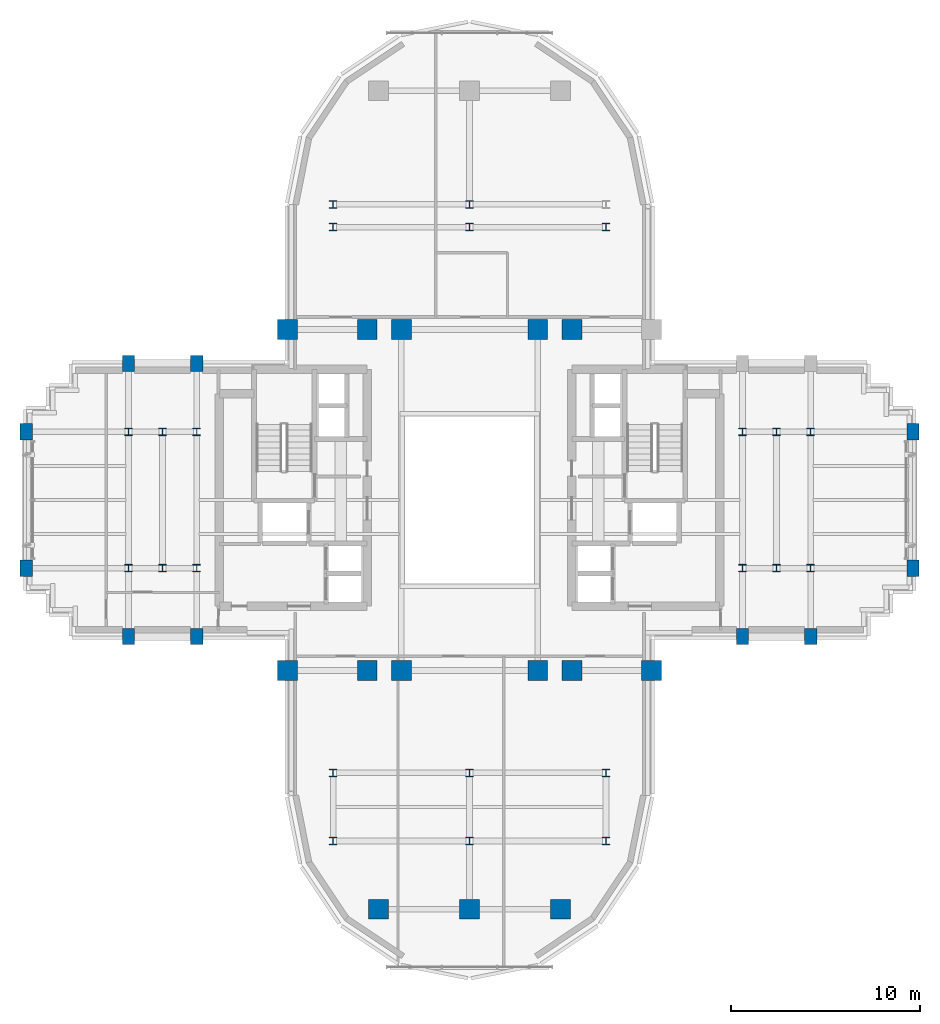
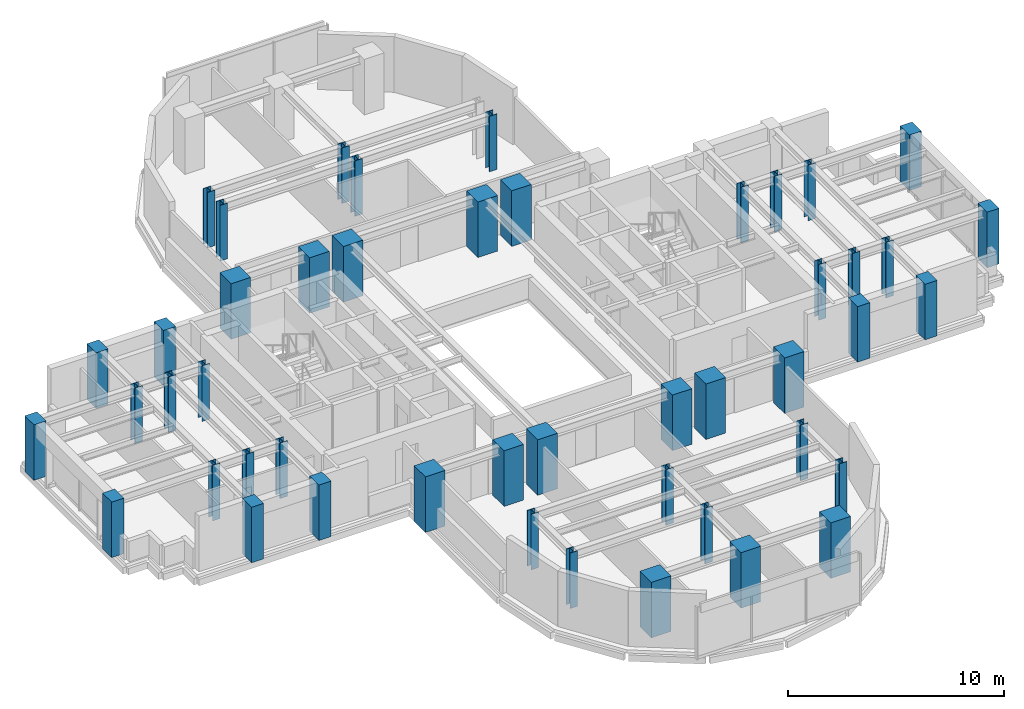
# One storey, part 1 of 13: 47 columns.
"""IFC4 building model written with IfcOpenShell, lengths in metres."""

from ifc_helpers import new_model, si_unit, direction, frame, origin, origin_2d, place, context, subcontext, project, spatial, rectangle, i_section, extrude, source, transform, mapped, material, material_profile, profile_set, type_object, element, save


model = new_model("IFC4")

# Units and contexts
model_context = context("Model", 3, precision=1e-05, world=origin(), true_north=direction((0.0, 1.0)))
body_context = subcontext(model_context, "Body", "Model", "MODEL_VIEW")
ifc_project = project(units=[si_unit("LENGTHUNIT", "METRE"), si_unit("AREAUNIT", "SQUARE_METRE"), si_unit("VOLUMEUNIT", "CUBIC_METRE"), si_unit("PLANEANGLEUNIT", "RADIAN"), si_unit("MASSUNIT", "GRAM", prefix="KILO")], contexts=[model_context])

# Site, building, storey
site_placement = place(None, origin())
site = spatial("IfcSite", under=ifc_project, at=site_placement, CompositionType="ELEMENT")
building_placement = place(site_placement, origin())
building = spatial("IfcBuilding", under=site, at=building_placement, Name="Keilestroom Media Tower", CompositionType="ELEMENT")
storey_placement = place(building_placement, frame((0.0, 0.0, 148.199951171875)))
storey = spatial("IfcBuildingStorey", under=building, at=storey_placement, Name="L40", CompositionType="ELEMENT", Elevation=148.199951171875)

# Columns
ifc_material_1 = material(Name="Precast concrete C40/50", Category="concrete")
ifc_material_profile_1 = material_profile(ifc_material_1, rectangle(XDim=0.64990234375, YDim=0.85009765625, at=origin_2d()), Name="PC 850x650")
ifc_profile_set_1 = profile_set([ifc_material_profile_1], Name="Precast concrete C40/50")
column_type_1 = type_object("IfcColumnType", Name="Structural-Column-PC-850x650", PredefinedType="COLUMN", material=ifc_profile_set_1)
shared_shape_1 = source(origin(), body_context, "Body", "SweptSolid", [
    extrude(rectangle(XDim=0.64990234375, YDim=0.85009765625, at=origin_2d()), origin(), (0.0, 0.0, 1.0), 3.14013671875),
])
for number, where, z_axis, x_axis, name in (
    (1, (-23.39990234375, -3.60009765625, 0.0), (0.0, 0.0, 1.0), (1.0, 0.0, 0.0), "L40 Column PC-2 (-23.4,-3.6)"),
    (2, (-23.39990234375, 3.60009765625, 0.0), (0.0, 0.0, 1.0), (1.0, 0.0, 0.0), "L40 Column PC-2 (-23.4,+3.6)"),
    (3, (-18.0, -7.199951171875, 0.0), (0.0, 0.0, 1.0), (1.0, 0.0, 0.0), "L40 Column PC-2 (-18.0,-7.2)"),
    (4, (-18.0, 7.199951171875, 0.0), (0.0, 0.0, 1.0), (1.0, 0.0, 0.0), "L40 Column PC-2 (-18.0,+7.2)"),
    (5, (-14.39990234375, -7.199951171875, 0.0), (0.0, 0.0, 1.0), (1.0, 0.0, 0.0), "L40 Column PC-2 (-14.4,-7.2)"),
    (6, (-14.39990234375, 7.199951171875, 0.0), (0.0, 0.0, 1.0), (1.0, 0.0, 0.0), "L40 Column PC-2 (-14.4,+7.2)"),
    (7, (14.39990234375, -7.199951171875, 0.0), (0.0, 0.0, 1.0), (1.0, 0.0, 0.0), "L40 Column PC-2 (+14.4,-7.2)"),
    (8, (18.0, -7.199951171875, 0.0), (0.0, 0.0, 1.0), (1.0, 0.0, 0.0), "L40 Column PC-2 (+18.0,-7.2)"),
    (9, (23.39990234375, -3.60009765625, 0.0), (0.0, 0.0, 1.0), (1.0, 0.0, 0.0), "L40 Column PC-2 (+23.4,-3.6)"),
    (10, (23.39990234375, 3.60009765625, 0.0), (0.0, 0.0, 1.0), (1.0, 0.0, 0.0), "L40 Column PC-2 (+23.4,+3.6)"),
):
    element("IfcColumn", number, at=place(storey_placement, frame(where, z_axis=z_axis, x_axis=x_axis)), inside=storey, type_object=column_type_1, Name=name, PredefinedType="COLUMN", context=body_context, shape_type="MappedRepresentation", body=[
        mapped(shared_shape_1, transform((0.0, 0.0, 0.0), x_axis=(1.0, 0.0, 0.0), y_axis=(0.0, 1.0, 0.0), z_axis=(0.0, 0.0, 1.0), scale=1.0)),
    ])
ifc_material_2 = material(Name="Steel S355", Category="steel")
ifc_material_profile_2 = material_profile(ifc_material_2, i_section(OverallWidth=0.40087890625, OverallDepth=0.39892578125, WebThickness=0.02001953125, FlangeThickness=0.031982421875, at=origin_2d()), Name="HD 400x314")
ifc_profile_set_2 = profile_set([ifc_material_profile_2], Name="Steel S355")
column_type_2 = type_object("IfcColumnType", Name="Structural-Column-HD-400x314", PredefinedType="COLUMN", material=ifc_profile_set_2)
shared_shape_2 = source(origin(), body_context, "Body", "SweptSolid", [
    extrude(i_section(OverallWidth=0.40087890625, OverallDepth=0.39892578125, WebThickness=0.02001953125, FlangeThickness=0.031982421875, at=origin_2d()), origin(), (0.0, 0.0, 1.0), 3.14013671875),
])
for number, where, z_axis, x_axis, name in (
    (11, (-18.0, -3.60009765625, 0.0), (0.0, 0.0, 1.0), (1.0, 0.0, 0.0), "L40 Column SC-3 (-18.0,-3.6)"),
    (12, (-18.0, 3.60009765625, 0.0), (0.0, 0.0, 1.0), (1.0, 0.0, 0.0), "L40 Column SC-3 (-18.0,+3.6)"),
    (13, (-16.199951171875, -3.60009765625, 0.0), (0.0, 0.0, 1.0), (1.0, 0.0, 0.0), "L40 Column SC-3 (-16.2,-3.6)"),
    (14, (-16.199951171875, 3.60009765625, 0.0), (0.0, 0.0, 1.0), (1.0, 0.0, 0.0), "L40 Column SC-3 (-16.2,+3.6)"),
    (15, (-14.39990234375, -3.60009765625, 0.0), (0.0, 0.0, 1.0), (1.0, 0.0, 0.0), "L40 Column SC-3 (-14.4,-3.6)"),
    (16, (-14.39990234375, 3.60009765625, 0.0), (0.0, 0.0, 1.0), (1.0, 0.0, 0.0), "L40 Column SC-3 (-14.4,+3.6)"),
    (17, (-7.199951171875, -18.0, 0.0), (0.0, 0.0, 1.0), (1.0, 0.0, 0.0), "L40 Column SC-3 (-7.2,-18.0)"),
    (18, (-7.199951171875, -14.39990234375, 0.0), (0.0, 0.0, 1.0), (1.0, 0.0, 0.0), "L40 Column SC-3 (-7.2,-14.4)"),
    (19, (-7.199951171875, 14.39990234375, 0.0), (0.0, 0.0, 1.0), (1.0, 0.0, 0.0), "L40 Column SC-3 (-7.2,+14.4)"),
    (20, (-7.199951171875, 15.60009765625, 0.0), (0.0, 0.0, 1.0), (1.0, 0.0, 0.0), "L40 Column SC-3 (-7.2,+15.6)"),
    (21, (0.0, -18.0, 0.0), (0.0, 0.0, 1.0), (1.0, 0.0, 0.0), "L40 Column SC-3 (+0.0,-18.0)"),
    (22, (0.0, -14.39990234375, 0.0), (0.0, 0.0, 1.0), (1.0, 0.0, 0.0), "L40 Column SC-3 (+0.0,-14.4)"),
    (23, (0.0, 14.39990234375, 0.0), (0.0, 0.0, 1.0), (1.0, 0.0, 0.0), "L40 Column SC-3 (+0.0,+14.4)"),
    (24, (0.0, 15.60009765625, 0.0), (0.0, 0.0, 1.0), (1.0, 0.0, 0.0), "L40 Column SC-3 (+0.0,+15.6)"),
    (25, (7.199951171875, -18.0, 0.0), (0.0, 0.0, 1.0), (1.0, 0.0, 0.0), "L40 Column SC-3 (+7.2,-18.0)"),
    (26, (7.199951171875, -14.39990234375, 0.0), (0.0, 0.0, 1.0), (1.0, 0.0, 0.0), "L40 Column SC-3 (+7.2,-14.4)"),
    (27, (7.199951171875, 14.39990234375, 0.0), (0.0, 0.0, 1.0), (1.0, 0.0, 0.0), "L40 Column SC-3 (+7.2,+14.4)"),
    (28, (14.39990234375, -3.60009765625, 0.0), (0.0, 0.0, 1.0), (1.0, 0.0, 0.0), "L40 Column SC-3 (+14.4,-3.6)"),
    (29, (14.39990234375, 3.60009765625, 0.0), (0.0, 0.0, 1.0), (1.0, 0.0, 0.0), "L40 Column SC-3 (+14.4,+3.6)"),
    (30, (16.199951171875, -3.60009765625, 0.0), (0.0, 0.0, 1.0), (1.0, 0.0, 0.0), "L40 Column SC-3 (+16.2,-3.6)"),
    (31, (16.199951171875, 3.60009765625, 0.0), (0.0, 0.0, 1.0), (1.0, 0.0, 0.0), "L40 Column SC-3 (+16.2,+3.6)"),
    (32, (18.0, -3.60009765625, 0.0), (0.0, 0.0, 1.0), (1.0, 0.0, 0.0), "L40 Column SC-3 (+18.0,-3.6)"),
    (33, (18.0, 3.60009765625, 0.0), (0.0, 0.0, 1.0), (1.0, 0.0, 0.0), "L40 Column SC-3 (+18.0,+3.6)"),
):
    element("IfcColumn", number, at=place(storey_placement, frame(where, z_axis=z_axis, x_axis=x_axis)), inside=storey, type_object=column_type_2, Name=name, PredefinedType="COLUMN", context=body_context, shape_type="MappedRepresentation", body=[
        mapped(shared_shape_2, transform((0.0, 0.0, 0.0), x_axis=(1.0, 0.0, 0.0), y_axis=(0.0, 1.0, 0.0), z_axis=(0.0, 0.0, 1.0), scale=1.0)),
    ])
ifc_material_3 = material(Name="Concrete C55/67", Category="concrete")
ifc_material_profile_3 = material_profile(ifc_material_3, rectangle(XDim=1.050048828125, YDim=1.050048828125, at=origin_2d()), Name="RC 1050x1050")
ifc_profile_set_3 = profile_set([ifc_material_profile_3], Name="Concrete C55/67")
column_type_3 = type_object("IfcColumnType", Name="Structural-Column-RC-1050x1050", PredefinedType="COLUMN", material=ifc_profile_set_3)
shared_shape_3 = source(origin(), body_context, "Body", "SweptSolid", [
    extrude(rectangle(XDim=1.050048828125, YDim=1.050048828125, at=origin_2d()), origin(), (0.0, 0.0, 1.0), 3.14013671875),
])
for number, where, z_axis, x_axis, name in (
    (34, (-9.60009765625, -9.0, 0.0), (0.0, 0.0, 1.0), (1.0, 0.0, 0.0), "L40 Column MC-3 (-9.6,-9.0)"),
    (35, (-9.60009765625, 9.0, 0.0), (0.0, 0.0, 1.0), (1.0, 0.0, 0.0), "L40 Column MC-3 (-9.6,+9.0)"),
    (36, (-5.39990234375, -9.0, 0.0), (0.0, 0.0, 1.0), (1.0, 0.0, 0.0), "L40 Column MC-3 (-5.4,-9.0)"),
    (37, (-5.39990234375, 9.0, 0.0), (0.0, 0.0, 1.0), (1.0, 0.0, 0.0), "L40 Column MC-3 (-5.4,+9.0)"),
    (38, (-4.800048828125, -21.60009765625, 0.0), (0.0, 0.0, 1.0), (1.0, 0.0, 0.0), "L40 Column MC-3 (-4.8,-21.6)"),
    (39, (-3.60009765625, -9.0, 0.0), (0.0, 0.0, 1.0), (1.0, 0.0, 0.0), "L40 Column MC-3 (-3.6,-9.0)"),
    (40, (-3.60009765625, 9.0, 0.0), (0.0, 0.0, 1.0), (1.0, 0.0, 0.0), "L40 Column MC-3 (-3.6,+9.0)"),
    (41, (0.0, -21.60009765625, 0.0), (0.0, 0.0, 1.0), (1.0, 0.0, 0.0), "L40 Column MC-3 (+0.0,-21.6)"),
    (42, (3.60009765625, -9.0, 0.0), (0.0, 0.0, 1.0), (1.0, 0.0, 0.0), "L40 Column MC-3 (+3.6,-9.0)"),
    (43, (3.60009765625, 9.0, 0.0), (0.0, 0.0, 1.0), (1.0, 0.0, 0.0), "L40 Column MC-3 (+3.6,+9.0)"),
    (44, (4.800048828125, -21.60009765625, 0.0), (0.0, 0.0, 1.0), (1.0, 0.0, 0.0), "L40 Column MC-3 (+4.8,-21.6)"),
    (45, (5.39990234375, -9.0, 0.0), (0.0, 0.0, 1.0), (1.0, 0.0, 0.0), "L40 Column MC-3 (+5.4,-9.0)"),
    (46, (5.39990234375, 9.0, 0.0), (0.0, 0.0, 1.0), (1.0, 0.0, 0.0), "L40 Column MC-3 (+5.4,+9.0)"),
    (47, (9.60009765625, -9.0, 0.0), (0.0, 0.0, 1.0), (1.0, 0.0, 0.0), "L40 Column MC-3 (+9.6,-9.0)"),
):
    element("IfcColumn", number, at=place(storey_placement, frame(where, z_axis=z_axis, x_axis=x_axis)), inside=storey, type_object=column_type_3, Name=name, PredefinedType="COLUMN", context=body_context, shape_type="MappedRepresentation", body=[
        mapped(shared_shape_3, transform((0.0, 0.0, 0.0), x_axis=(1.0, 0.0, 0.0), y_axis=(0.0, 1.0, 0.0), z_axis=(0.0, 0.0, 1.0), scale=1.0)),
    ])

save(model, "model.ifc")
